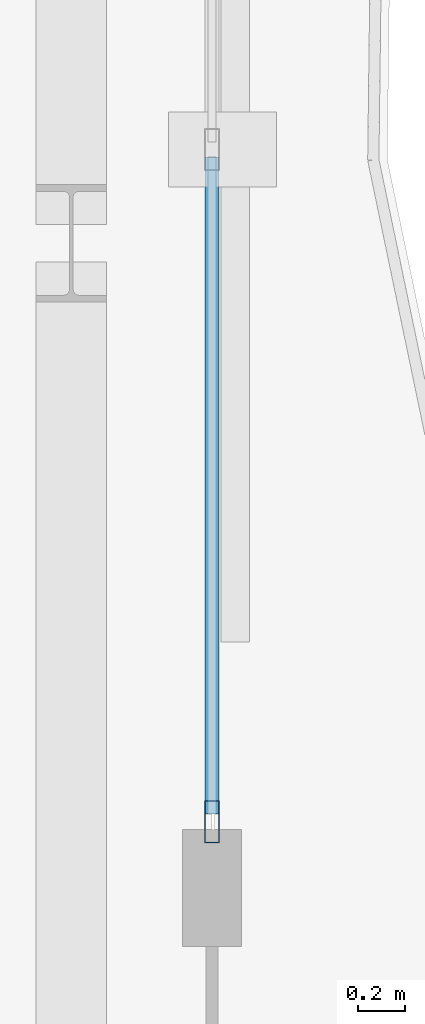
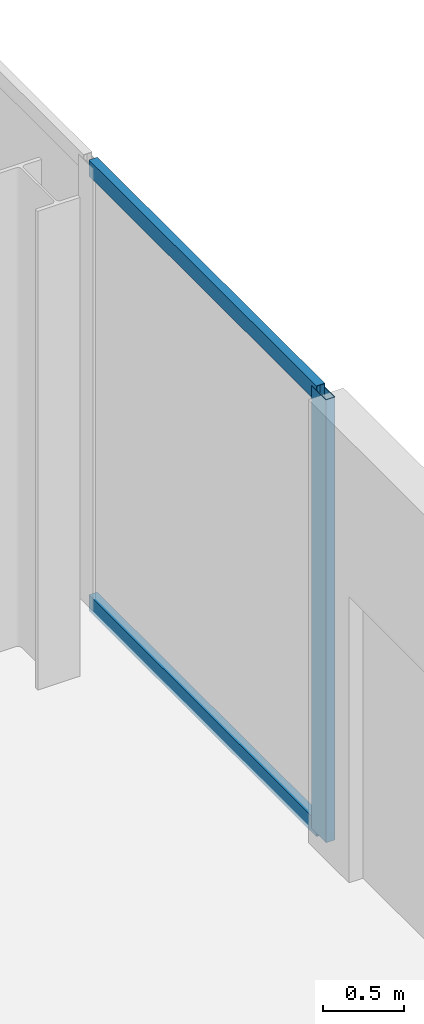
# One storey, part 14 of 23: 3 members, 1 element without a shape of its own.
"""IFC4 building model written with IfcOpenShell, lengths in metres."""

from ifc_helpers import new_model, si_unit, direction, frame, origin, origin_2d, place, context, subcontext, project, spatial, hollow_rectangle, extrude, material, layer, layer_set, material_profile, profile_set, type_object, element, aggregate, save


model = new_model("IFC4")

# Units and contexts
model_context = context("Model", 3, precision=1e-05, world=origin(), true_north=direction((0.0, 1.0)))
body_context = subcontext(model_context, "Body", "Model", "MODEL_VIEW")
ifc_project = project(units=[si_unit("LENGTHUNIT", "METRE"), si_unit("AREAUNIT", "SQUARE_METRE"), si_unit("VOLUMEUNIT", "CUBIC_METRE"), si_unit("PLANEANGLEUNIT", "RADIAN"), si_unit("MASSUNIT", "GRAM", prefix="KILO")], contexts=[model_context])

# Site, building, storey
site_placement = place(None, origin())
site = spatial("IfcSite", under=ifc_project, at=site_placement, CompositionType="ELEMENT")
building_placement = place(site_placement, origin())
building = spatial("IfcBuilding", under=site, at=building_placement, Name="Catumbela Crestline Tower", CompositionType="ELEMENT")
storey_placement = place(building_placement, frame((0.0, 0.0, 190.2)))
storey = spatial("IfcBuildingStorey", under=building, at=storey_placement, Name="L49", CompositionType="ELEMENT", Elevation=190.2)

# Curtain wall, members
ifc_material = material(Name="Aluminium alloy AW-6060-T66", Category="aluminium")
ifc_layer = layer(ifc_material, 0.18, Name="Aluminium alloy AW-6060-T66")
ifc_layer_set = layer_set([ifc_layer], Name="Aluminium alloy AW-6060-T66")
curtain_wall_type = type_object("IfcCurtainWallType", Name="CWU-Z3", PredefinedType="USERDEFINED", material=ifc_layer_set)
curtain_wall_placement = place(storey_placement, origin())
curtain_wall = element("IfcCurtainWall", 1, at=curtain_wall_placement, inside=storey, type_object=curtain_wall_type, Name="L49 Unitised Curtain Wall CW-L49-E5S2", ObjectType="UNITISED", PredefinedType="USERDEFINED")
ifc_material_profile_1 = material_profile(ifc_material, hollow_rectangle(XDim=0.065, YDim=0.18, WallThickness=0.004, at=origin_2d()), Name="ALU 180x65x4")
ifc_profile_set_1 = profile_set([ifc_material_profile_1], Name="Aluminium alloy AW-6060-T66")
member_type_1 = type_object("IfcMemberType", Name="MUL-180X65", PredefinedType="MULLION", material=ifc_profile_set_1)
member_1_placement = place(storey_placement, frame((51.0, 33.7325, 0.0), z_axis=(0.0, 0.0, 1.0), x_axis=(-1.0, 0.0, 0.0)))
member_1 = element("IfcMember", 2, at=member_1_placement, type_object=member_type_1, Name="CWU-Z3 mullion 1", PredefinedType="MULLION", context=body_context, shape_type="SweptSolid", body=[
    extrude(hollow_rectangle(XDim=0.065, YDim=0.18, WallThickness=0.004, at=origin_2d()), origin(), (0.0, 0.0, 1.0), 3.33),
])
ifc_material_profile_2 = material_profile(ifc_material, hollow_rectangle(XDim=0.06, YDim=0.12, WallThickness=0.0035, at=origin_2d()), Name="ALU 120x60x3.5")
ifc_profile_set_2 = profile_set([ifc_material_profile_2], Name="Aluminium alloy AW-6060-T66")
member_type_2 = type_object("IfcMemberType", Name="TRN-120X60", PredefinedType="USERDEFINED", material=ifc_profile_set_2)
member_2_placement = place(storey_placement, frame((51.0, 33.765, 0.03), z_axis=(0.0, 1.0, 0.0), x_axis=(-1.0, 0.0, 0.0)))
member_2 = element("IfcMember", 3, at=member_2_placement, type_object=member_type_2, Name="CWU-Z3 transom 1.1", ObjectType="TRANSOM", PredefinedType="USERDEFINED", context=body_context, shape_type="SweptSolid", body=[
    extrude(hollow_rectangle(XDim=0.06, YDim=0.12, WallThickness=0.0035, at=origin_2d()), origin(), (0.0, 0.0, 1.0), 2.8025),
])
member_3_placement = place(storey_placement, frame((51.0, 33.765, 3.3), z_axis=(0.0, 1.0, 0.0), x_axis=(-1.0, 0.0, 0.0)))
member_3 = element("IfcMember", 4, at=member_3_placement, type_object=member_type_2, Name="CWU-Z3 transom 1.2", ObjectType="TRANSOM", PredefinedType="USERDEFINED", context=body_context, shape_type="SweptSolid", body=[
    extrude(hollow_rectangle(XDim=0.06, YDim=0.12, WallThickness=0.0035, at=origin_2d()), origin(), (0.0, 0.0, 1.0), 2.8025),
])
aggregate(curtain_wall, [member_1, member_2, member_3])

save(model, "model.ifc")
